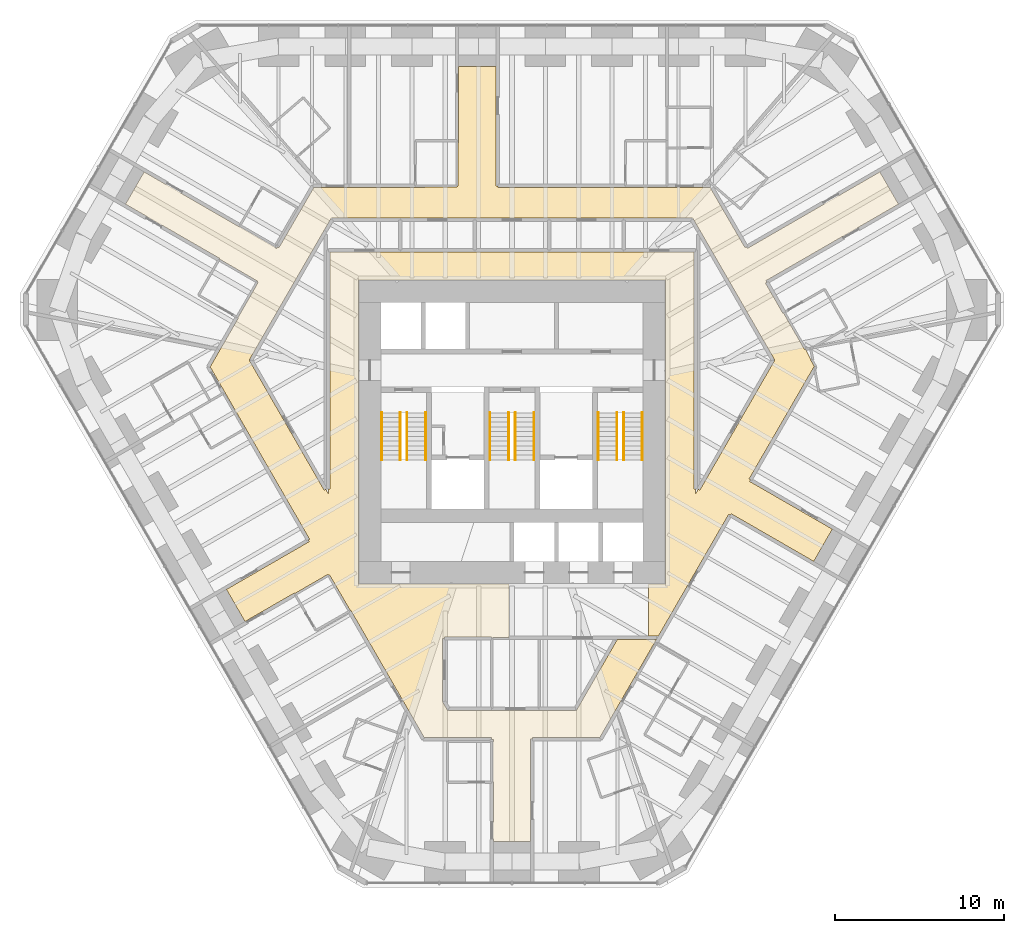
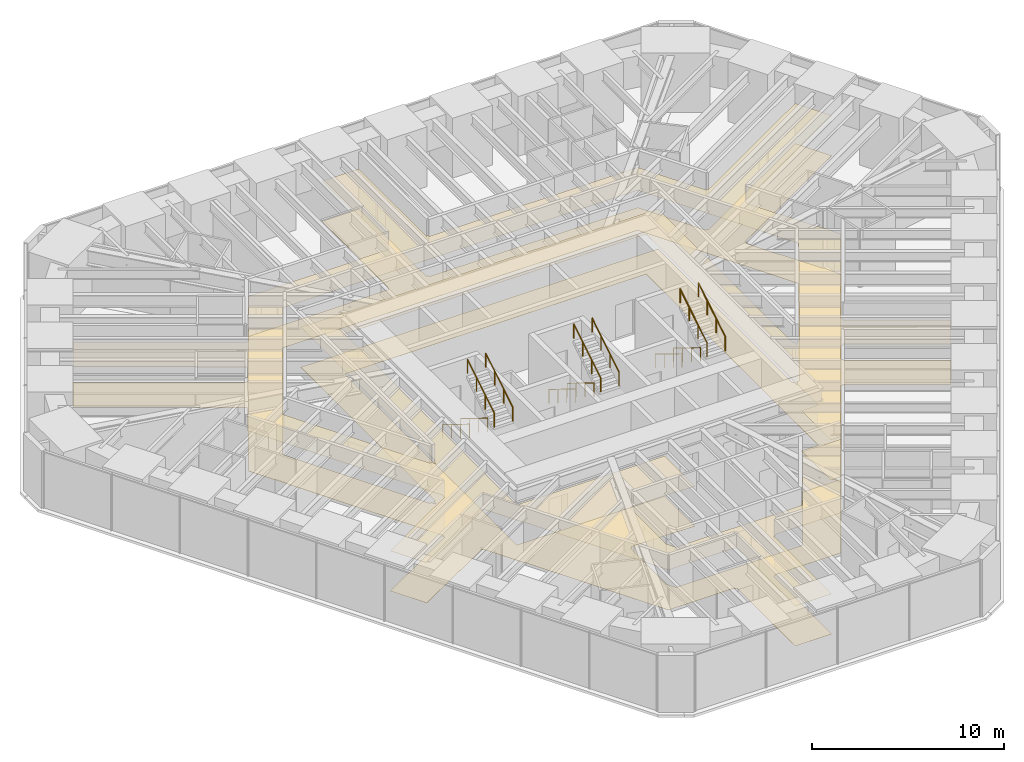
# One storey, part 17 of 17: 12 railings, 2 coverings.
"""IFC4 building model written with IfcOpenShell, lengths in metres."""

from ifc_helpers import new_model, si_unit, direction, frame, origin, origin_2d, place, context, subcontext, project, spatial, polyline, circle, outline, extrude, material, layer, layer_set, type_object, element, save


model = new_model("IFC4")

# Units and contexts
model_context = context("Model", 3, precision=1e-05, world=origin(), true_north=direction((0.0, 1.0)))
body_context = subcontext(model_context, "Body", "Model", "MODEL_VIEW")
ifc_project = project(units=[si_unit("LENGTHUNIT", "METRE"), si_unit("AREAUNIT", "SQUARE_METRE"), si_unit("VOLUMEUNIT", "CUBIC_METRE"), si_unit("PLANEANGLEUNIT", "RADIAN"), si_unit("MASSUNIT", "GRAM", prefix="KILO")], contexts=[model_context])

# Site, building, storey
site_placement = place(None, origin())
site = spatial("IfcSite", under=ifc_project, at=site_placement, CompositionType="ELEMENT")
building_placement = place(site_placement, origin())
building = spatial("IfcBuilding", under=site, at=building_placement, Name="Sandreach Pilgrim Tower", CompositionType="ELEMENT")
storey_placement = place(building_placement, frame((0.0, 0.0, 100.60009765625)))
storey = spatial("IfcBuildingStorey", under=building, at=storey_placement, Name="L24", CompositionType="ELEMENT", Elevation=100.60009765625)

# Coverings
ifc_material_1 = material(Name="Nylon carpet tile on the slab", Category="textile")
ifc_layer_1 = layer(ifc_material_1, 0.008056640625)
ifc_layer_set_1 = layer_set([ifc_layer_1], Name="Carpet tile")
covering_type_1 = type_object("IfcCoveringType", Name="Carpet tile", PredefinedType="FLOORING", material=ifc_layer_set_1)
covering_1_placement = place(storey_placement, origin())
element("IfcCovering", 1, at=covering_1_placement, inside=storey, type_object=covering_type_1, Name="Floor finish 24C Corridor 24", PredefinedType="FLOORING", context=body_context, shape_type="SweptSolid", body=[
    extrude(outline(polyline([(-17.2900390625, 8.671875), (-17.27001953125, 8.70654296875), (-22.833984375, 11.914794921875), (-21.734619140625, 13.819091796875), (-13.90966796875, 9.30322265625), (-13.861083984375, 9.38818359375), (-13.7734375, 9.33984375), (-11.71240234375, 12.889892578125), (-5.699951171875, 12.889892578125), (-4.696044921875, 12.929931640625), (-3.25, 12.929931640625), (-3.25, 12.987548828125), (-3.18994140625, 12.989990234375), (-3.1748046875, 15.659912109375), (-3.14990234375, 15.659912109375), (-3.14990234375, 20.03369140625), (-0.949951171875, 20.03369140625), (-0.949951171875, 12.989990234375), (-0.8349609375, 12.989990234375), (-0.8349609375, 12.889892578125), (11.71240234375, 12.889892578125), (13.7685546875, 9.348388671875), (13.849853515625, 9.395751953125), (13.909912109375, 9.303466796875), (21.73388671875, 13.8203125), (22.83447265625, 11.913818359375), (15.010009765625, 7.396484375), (15.060546875, 7.298828125), (14.978271484375, 7.25146484375), (16.00341796875, 5.47021484375), (16.0380859375, 5.489990234375), (17.298095703125, 3.31005859375), (17.34716796875, 3.33837890625), (17.358642578125, 3.279541015625), (17.37890625, 3.283447265625), (17.685302734375, 2.68017578125), (17.66796875, 2.670166015625), (17.8603515625, 2.335693359375), (14.010986328125, -4.31689453125), (14.097412109375, -4.366943359375), (14.0400390625, -4.466552734375), (18.926513671875, -7.285888671875), (17.825927734375, -9.192138671875), (12.94873046875, -6.37841796875), (12.900146484375, -6.46240234375), (12.803466796875, -6.409912109375), (8.6513671875, -13.60009765625), (8.050048828125, -13.60009765625), (8.050048828125, -10.52001953125), (9.070068359375, -10.52001953125), (9.070068359375, 7.419921875), (-9.070068359375, 7.419921875), (-9.070068359375, -10.52001953125), (-0.175048828125, -10.52001953125), (-0.175048828125, -13.68994140625), (-1.199951171875, -13.67919921875), (-1.199951171875, -13.64990234375), (-3.989990234375, -13.64990234375), (-3.989990234375, -13.75), (-4.10009765625, -13.75), (-4.10009765625, -17.487060546875), (-3.8076171875, -17.989990234375), (3.8076171875, -17.989990234375), (6.2265625, -13.800048828125), (8.535888671875, -13.800048828125), (5.192138671875, -19.590087890625), (1.215087890625, -19.590087890625), (1.215087890625, -19.68994140625), (1.10009765625, -19.68994140625), (1.10009765625, -25.732177734375), (-1.10009765625, -25.732177734375), (-1.10009765625, -19.699951171875), (-1.199951171875, -19.699951171875), (-1.199951171875, -19.590087890625), (-5.192138671875, -19.590087890625), (-9.5234375, -12.090087890625), (-9.55029296875, -12.10546875), (-10.7880859375, -9.97998046875), (-10.840576171875, -10.009033203125), (-10.8701171875, -9.9580078125), (-12.840087890625, -11.09814453125), (-12.85986328125, -11.0634765625), (-15.774169921875, -12.745849609375), (-16.870849609375, -10.846435546875), (-11.989990234375, -8.026611328125), (-12.045166015625, -7.92578125), (-11.9609375, -7.876953125), (-17.83447265625, 2.300048828125), (-16.17333984375, 5.179931640625), (-16.193359375, 5.191650390625), (-15.008056640625, 7.280029296875), (-15.059814453125, 7.310546875), (-15.030029296875, 7.36181640625), (-17.2900390625, 8.671875)]), holes=[polyline([(-15.525390625, 2.699951171875), (-11.0966796875, -4.97998046875), (-11.004638671875, -4.927001953125), (-10.85009765625, -5.19482421875), (-10.85009765625, -4.909912109375), (-10.75, -4.909912109375), (-10.75, 9.10009765625), (10.75, 9.10009765625), (10.75, -4.909912109375), (10.85009765625, -4.909912109375), (10.85009765625, -5.19482421875), (11.004638671875, -4.927001953125), (11.0966796875, -4.97998046875), (15.525390625, 2.699951171875), (10.677490234375, 11.090087890625), (-10.677490234375, 11.090087890625), (-15.525390625, 2.699951171875)])]), origin(), (0.0, 0.0, 1.0), 0.0078125),
])
ifc_material_2 = material(Name="Gypsum board suspended ceiling on a steel grid", Category="steel")
ifc_layer_2 = layer(ifc_material_2, 0.012939453125)
ifc_layer_set_2 = layer_set([ifc_layer_2], Name="Gypsum board suspended ceiling")
covering_type_2 = type_object("IfcCoveringType", Name="Gypsum board suspended ceiling", PredefinedType="CEILING", material=ifc_layer_set_2)
covering_2_placement = place(storey_placement, frame((0.0, 0.0, 2.5498046875)))
element("IfcCovering", 2, at=covering_2_placement, inside=storey, type_object=covering_type_2, Name="Ceiling 24C Corridor 24", PredefinedType="CEILING", context=body_context, shape_type="SweptSolid", body=[
    extrude(outline(polyline([(-17.2900390625, 8.671875), (-17.27001953125, 8.70654296875), (-22.833984375, 11.914794921875), (-21.734619140625, 13.819091796875), (-13.90966796875, 9.30322265625), (-13.861083984375, 9.38818359375), (-13.7734375, 9.33984375), (-11.71240234375, 12.889892578125), (-5.699951171875, 12.889892578125), (-4.696044921875, 12.929931640625), (-3.25, 12.929931640625), (-3.25, 12.987548828125), (-3.18994140625, 12.989990234375), (-3.1748046875, 15.659912109375), (-3.14990234375, 15.659912109375), (-3.14990234375, 20.03369140625), (-0.949951171875, 20.03369140625), (-0.949951171875, 12.989990234375), (-0.8349609375, 12.989990234375), (-0.8349609375, 12.889892578125), (11.71240234375, 12.889892578125), (13.7685546875, 9.348388671875), (13.849853515625, 9.395751953125), (13.909912109375, 9.303466796875), (21.73388671875, 13.8203125), (22.83447265625, 11.913818359375), (15.010009765625, 7.396484375), (15.060546875, 7.298828125), (14.978271484375, 7.25146484375), (16.00341796875, 5.47021484375), (16.0380859375, 5.489990234375), (17.298095703125, 3.31005859375), (17.34716796875, 3.33837890625), (17.358642578125, 3.279541015625), (17.37890625, 3.283447265625), (17.685302734375, 2.68017578125), (17.66796875, 2.670166015625), (17.8603515625, 2.335693359375), (14.010986328125, -4.31689453125), (14.097412109375, -4.366943359375), (14.0400390625, -4.466552734375), (18.926513671875, -7.285888671875), (17.825927734375, -9.192138671875), (12.94873046875, -6.37841796875), (12.900146484375, -6.46240234375), (12.803466796875, -6.409912109375), (8.6513671875, -13.60009765625), (8.050048828125, -13.60009765625), (8.050048828125, -10.52001953125), (9.070068359375, -10.52001953125), (9.070068359375, 7.419921875), (-9.070068359375, 7.419921875), (-9.070068359375, -10.52001953125), (-0.175048828125, -10.52001953125), (-0.175048828125, -13.68994140625), (-1.199951171875, -13.67919921875), (-1.199951171875, -13.64990234375), (-3.989990234375, -13.64990234375), (-3.989990234375, -13.75), (-4.10009765625, -13.75), (-4.10009765625, -17.487060546875), (-3.8076171875, -17.989990234375), (3.8076171875, -17.989990234375), (6.2265625, -13.800048828125), (8.535888671875, -13.800048828125), (5.192138671875, -19.590087890625), (1.215087890625, -19.590087890625), (1.215087890625, -19.68994140625), (1.10009765625, -19.68994140625), (1.10009765625, -25.732177734375), (-1.10009765625, -25.732177734375), (-1.10009765625, -19.699951171875), (-1.199951171875, -19.699951171875), (-1.199951171875, -19.590087890625), (-5.192138671875, -19.590087890625), (-9.5234375, -12.090087890625), (-9.55029296875, -12.10546875), (-10.7880859375, -9.97998046875), (-10.840576171875, -10.009033203125), (-10.8701171875, -9.9580078125), (-12.840087890625, -11.09814453125), (-12.85986328125, -11.0634765625), (-15.774169921875, -12.745849609375), (-16.870849609375, -10.846435546875), (-11.989990234375, -8.026611328125), (-12.045166015625, -7.92578125), (-11.9609375, -7.876953125), (-17.83447265625, 2.300048828125), (-16.17333984375, 5.179931640625), (-16.193359375, 5.191650390625), (-15.008056640625, 7.280029296875), (-15.059814453125, 7.310546875), (-15.030029296875, 7.36181640625), (-17.2900390625, 8.671875)]), holes=[polyline([(-15.525390625, 2.699951171875), (-11.0966796875, -4.97998046875), (-11.004638671875, -4.927001953125), (-10.85009765625, -5.19482421875), (-10.85009765625, -4.909912109375), (-10.75, -4.909912109375), (-10.75, 9.10009765625), (10.75, 9.10009765625), (10.75, -4.909912109375), (10.85009765625, -4.909912109375), (10.85009765625, -5.19482421875), (11.004638671875, -4.927001953125), (11.0966796875, -4.97998046875), (15.525390625, 2.699951171875), (10.677490234375, 11.090087890625), (-10.677490234375, 11.090087890625), (-15.525390625, 2.699951171875)])]), origin(), (0.0, 0.0, 1.0), 0.01318359375),
])

# Railings
ifc_material_3 = material(Name="Stainless steel tube", Category="steel")
railing_type = type_object("IfcRailingType", Name="Stair handrail", PredefinedType="HANDRAIL", material=ifc_material_3)
for number, where, name in (
    (3, (-6.60009765625, -0.39990234375, 0.172607421875), "Handrail ST1 L24 flight 1"),
    (4, (-7.699951171875, -0.39990234375, 0.172607421875), "Handrail ST1 L24 flight 1"),
):
    element("IfcRailing", number, at=place(storey_placement, frame(where)), inside=storey, type_object=railing_type, Name=name, PredefinedType="HANDRAIL", context=body_context, shape_type="SweptSolid", body=[
        extrude(circle(Radius=0.02392578125, at=origin_2d()), frame((0.0, 0.0, 0.8759765625), z_axis=(0.0, -0.851089632645, 0.525020415988), x_axis=(1.0, 0.0, 0.0)), (0.0, 0.0, 1.0), 3.2900390625),
        extrude(circle(Radius=0.02099609375, at=origin_2d()), origin(), (0.0, 0.0, 1.0), 0.851806640625),
        extrude(circle(Radius=0.02099609375, at=origin_2d()), frame((0.0, -0.933349609375, 0.57568359375)), (0.0, 0.0, 1.0), 0.851806640625),
        extrude(circle(Radius=0.02099609375, at=origin_2d()), frame((0.0, -1.86669921875, 1.151611328125)), (0.0, 0.0, 1.0), 0.851806640625),
        extrude(circle(Radius=0.02099609375, at=origin_2d()), frame((0.0, -2.800048828125, 1.727294921875)), (0.0, 0.0, 1.0), 0.851806640625),
    ])
for number, where, name in (
    (5, (-6.199951171875, -3.199951171875, 2.072509765625), "Handrail ST1 L24 flight 2"),
    (6, (-5.10009765625, -3.199951171875, 2.072509765625), "Handrail ST1 L24 flight 2"),
):
    element("IfcRailing", number, at=place(storey_placement, frame(where)), inside=storey, type_object=railing_type, Name=name, PredefinedType="HANDRAIL", context=body_context, shape_type="SweptSolid", body=[
        extrude(circle(Radius=0.02392578125, at=origin_2d()), frame((0.0, 0.0, 0.8759765625), z_axis=(0.0, 0.851089632645, 0.525020415988), x_axis=(-1.0, 0.0, 0.0)), (0.0, 0.0, 1.0), 3.2900390625),
        extrude(circle(Radius=0.02099609375, at=origin_2d()), origin(), (0.0, 0.0, 1.0), 0.851806640625),
        extrude(circle(Radius=0.02099609375, at=origin_2d()), frame((0.0, 0.933349609375, 0.57568359375)), (0.0, 0.0, 1.0), 0.851806640625),
        extrude(circle(Radius=0.02099609375, at=origin_2d()), frame((0.0, 1.86669921875, 1.151611328125)), (0.0, 0.0, 1.0), 0.851806640625),
        extrude(circle(Radius=0.02099609375, at=origin_2d()), frame((0.0, 2.800048828125, 1.727294921875)), (0.0, 0.0, 1.0), 0.851806640625),
    ])
for number, where, name in (
    (7, (-0.199951171875, -0.39990234375, 0.172607421875), "Handrail ST3 L24 flight 1"),
    (8, (-1.300048828125, -0.39990234375, 0.172607421875), "Handrail ST3 L24 flight 1"),
):
    element("IfcRailing", number, at=place(storey_placement, frame(where)), inside=storey, type_object=railing_type, Name=name, PredefinedType="HANDRAIL", context=body_context, shape_type="SweptSolid", body=[
        extrude(circle(Radius=0.02392578125, at=origin_2d()), frame((0.0, 0.0, 0.8759765625), z_axis=(0.0, -0.851089632645, 0.525020415988), x_axis=(1.0, 0.0, 0.0)), (0.0, 0.0, 1.0), 3.2900390625),
        extrude(circle(Radius=0.02099609375, at=origin_2d()), origin(), (0.0, 0.0, 1.0), 0.851806640625),
        extrude(circle(Radius=0.02099609375, at=origin_2d()), frame((0.0, -0.933349609375, 0.57568359375)), (0.0, 0.0, 1.0), 0.851806640625),
        extrude(circle(Radius=0.02099609375, at=origin_2d()), frame((0.0, -1.86669921875, 1.151611328125)), (0.0, 0.0, 1.0), 0.851806640625),
        extrude(circle(Radius=0.02099609375, at=origin_2d()), frame((0.0, -2.800048828125, 1.727294921875)), (0.0, 0.0, 1.0), 0.851806640625),
    ])
for number, where, name in (
    (9, (0.199951171875, -3.199951171875, 2.072509765625), "Handrail ST3 L24 flight 2"),
    (10, (1.300048828125, -3.199951171875, 2.072509765625), "Handrail ST3 L24 flight 2"),
):
    element("IfcRailing", number, at=place(storey_placement, frame(where)), inside=storey, type_object=railing_type, Name=name, PredefinedType="HANDRAIL", context=body_context, shape_type="SweptSolid", body=[
        extrude(circle(Radius=0.02392578125, at=origin_2d()), frame((0.0, 0.0, 0.8759765625), z_axis=(0.0, 0.851089632645, 0.525020415988), x_axis=(-1.0, 0.0, 0.0)), (0.0, 0.0, 1.0), 3.2900390625),
        extrude(circle(Radius=0.02099609375, at=origin_2d()), origin(), (0.0, 0.0, 1.0), 0.851806640625),
        extrude(circle(Radius=0.02099609375, at=origin_2d()), frame((0.0, 0.933349609375, 0.57568359375)), (0.0, 0.0, 1.0), 0.851806640625),
        extrude(circle(Radius=0.02099609375, at=origin_2d()), frame((0.0, 1.86669921875, 1.151611328125)), (0.0, 0.0, 1.0), 0.851806640625),
        extrude(circle(Radius=0.02099609375, at=origin_2d()), frame((0.0, 2.800048828125, 1.727294921875)), (0.0, 0.0, 1.0), 0.851806640625),
    ])
for number, where, name in (
    (11, (6.199951171875, -0.39990234375, 0.172607421875), "Handrail ST2 L24 flight 1"),
    (12, (5.10009765625, -0.39990234375, 0.172607421875), "Handrail ST2 L24 flight 1"),
):
    element("IfcRailing", number, at=place(storey_placement, frame(where)), inside=storey, type_object=railing_type, Name=name, PredefinedType="HANDRAIL", context=body_context, shape_type="SweptSolid", body=[
        extrude(circle(Radius=0.02392578125, at=origin_2d()), frame((0.0, 0.0, 0.8759765625), z_axis=(0.0, -0.851089632645, 0.525020415988), x_axis=(1.0, 0.0, 0.0)), (0.0, 0.0, 1.0), 3.2900390625),
        extrude(circle(Radius=0.02099609375, at=origin_2d()), origin(), (0.0, 0.0, 1.0), 0.851806640625),
        extrude(circle(Radius=0.02099609375, at=origin_2d()), frame((0.0, -0.933349609375, 0.57568359375)), (0.0, 0.0, 1.0), 0.851806640625),
        extrude(circle(Radius=0.02099609375, at=origin_2d()), frame((0.0, -1.86669921875, 1.151611328125)), (0.0, 0.0, 1.0), 0.851806640625),
        extrude(circle(Radius=0.02099609375, at=origin_2d()), frame((0.0, -2.800048828125, 1.727294921875)), (0.0, 0.0, 1.0), 0.851806640625),
    ])
for number, where, name in (
    (13, (6.60009765625, -3.199951171875, 2.072509765625), "Handrail ST2 L24 flight 2"),
    (14, (7.699951171875, -3.199951171875, 2.072509765625), "Handrail ST2 L24 flight 2"),
):
    element("IfcRailing", number, at=place(storey_placement, frame(where)), inside=storey, type_object=railing_type, Name=name, PredefinedType="HANDRAIL", context=body_context, shape_type="SweptSolid", body=[
        extrude(circle(Radius=0.02392578125, at=origin_2d()), frame((0.0, 0.0, 0.8759765625), z_axis=(0.0, 0.851089632645, 0.525020415988), x_axis=(-1.0, 0.0, 0.0)), (0.0, 0.0, 1.0), 3.2900390625),
        extrude(circle(Radius=0.02099609375, at=origin_2d()), origin(), (0.0, 0.0, 1.0), 0.851806640625),
        extrude(circle(Radius=0.02099609375, at=origin_2d()), frame((0.0, 0.933349609375, 0.57568359375)), (0.0, 0.0, 1.0), 0.851806640625),
        extrude(circle(Radius=0.02099609375, at=origin_2d()), frame((0.0, 1.86669921875, 1.151611328125)), (0.0, 0.0, 1.0), 0.851806640625),
        extrude(circle(Radius=0.02099609375, at=origin_2d()), frame((0.0, 2.800048828125, 1.727294921875)), (0.0, 0.0, 1.0), 0.851806640625),
    ])

save(model, "model.ifc")
